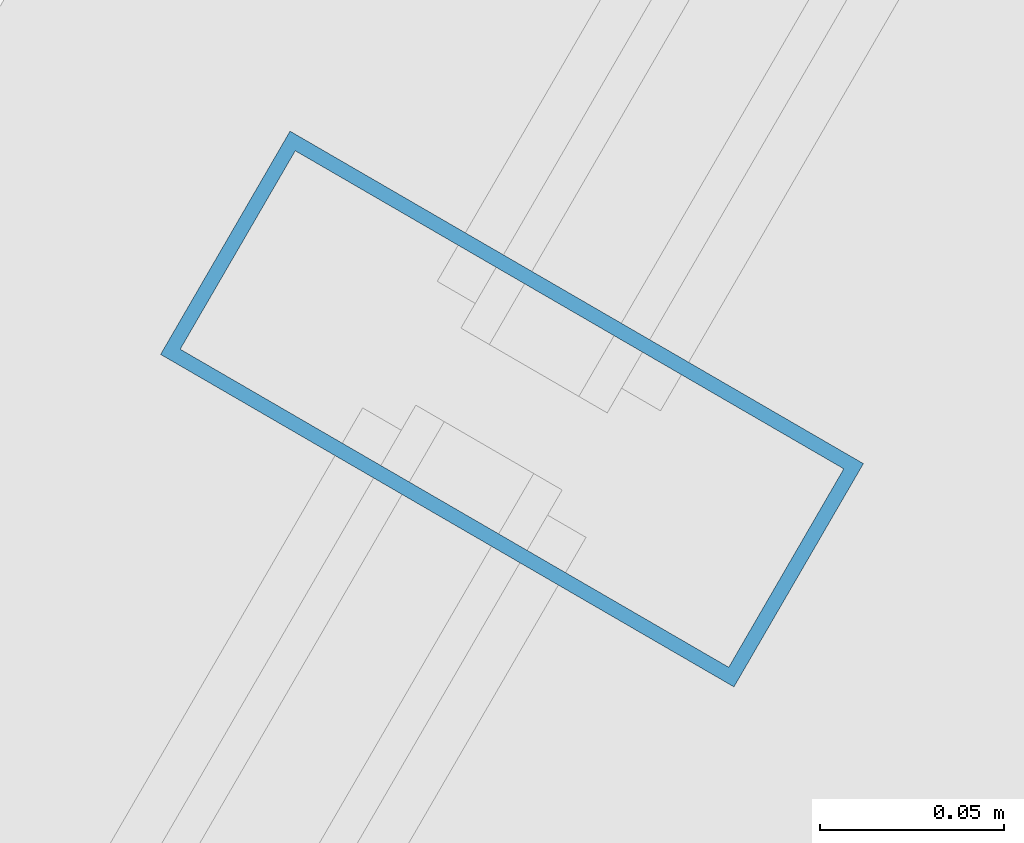
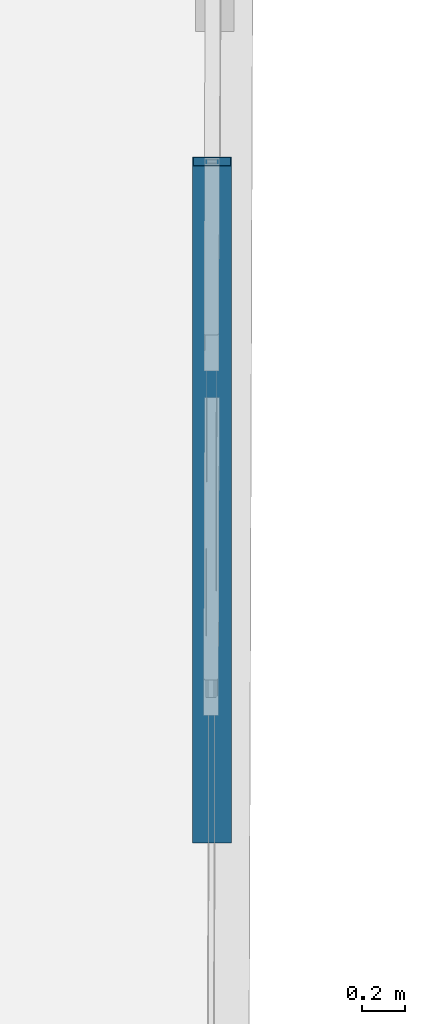
# One storey, part 51 of 156: 1 member, 1 element without a shape of its own.
"""IFC4 building model written with IfcOpenShell, lengths in metres."""

from ifc_helpers import new_model, si_unit, direction, frame, origin, origin_2d, place, context, subcontext, project, spatial, hollow_rectangle, extrude, material, layer, layer_set, material_profile, profile_set, type_object, element, aggregate, save


model = new_model("IFC4")

# Units and contexts
model_context = context("Model", 3, precision=1e-05, world=origin(), true_north=direction((0.0, 1.0)))
body_context = subcontext(model_context, "Body", "Model", "MODEL_VIEW")
ifc_project = project(units=[si_unit("LENGTHUNIT", "METRE"), si_unit("AREAUNIT", "SQUARE_METRE"), si_unit("VOLUMEUNIT", "CUBIC_METRE"), si_unit("PLANEANGLEUNIT", "RADIAN"), si_unit("MASSUNIT", "GRAM", prefix="KILO")], contexts=[model_context])

# Site, building, storey
site_placement = place(None, origin())
site = spatial("IfcSite", under=ifc_project, at=site_placement, CompositionType="ELEMENT")
building_placement = place(site_placement, origin())
building = spatial("IfcBuilding", under=site, at=building_placement, Name="Kazemori Nagisa Stadium", CompositionType="ELEMENT")
storey_placement = place(building_placement, frame((0.0, 0.0, 5.780029296875)))
storey = spatial("IfcBuildingStorey", under=building, at=storey_placement, Name="L01", CompositionType="ELEMENT", Elevation=5.780029296875)

# Curtain wall, member
ifc_material_1 = material(Name="Anodised aluminium 6063-T5", Category="aluminium")
ifc_layer = layer(ifc_material_1, 0.179931640625, Name="Anodised aluminium 6063-T5", Category="aluminium")
ifc_layer_set = layer_set([ifc_layer], Name="Anodised aluminium 6063-T5")
curtain_wall_type = type_object("IfcCurtainWallType", Name="CW_L01R3_99", PredefinedType="USERDEFINED", material=ifc_layer_set)
curtain_wall_placement = place(storey_placement, origin())
curtain_wall = element("IfcCurtainWall", 1, at=curtain_wall_placement, inside=storey, type_object=curtain_wall_type, Name="Unitised curtain wall CW-L01R3-99 L01", ObjectType="UNITISED CURTAIN WALL", PredefinedType="USERDEFINED")
ifc_material_2 = material(Name="Aluminium 6063-T5 anodised", Category="aluminium")
ifc_material_profile = material_profile(ifc_material_2, hollow_rectangle(XDim=0.070068359375, YDim=0.179931640625, WallThickness=0.00390625, at=origin_2d()), Name="ALU-MULL-70x180x4")
ifc_profile_set = profile_set([ifc_material_profile], Name="Aluminium 6063-T5 anodised")
member_type = type_object("IfcMemberType", Name="Mullion_M01", PredefinedType="MULLION", material=ifc_profile_set)
member_placement = place(storey_placement, frame((205.0380859375, 51.442138671875, 0.0), z_axis=(0.0, 0.0, 1.0), x_axis=(0.501611590054, 0.865092950337, 0.0)))
member = element("IfcMember", 2, at=member_placement, type_object=member_type, Name="Curtain wall mullion CW-L01R3-99-M2", PredefinedType="MULLION", context=body_context, shape_type="SweptSolid", body=[
    extrude(hollow_rectangle(XDim=0.070068359375, YDim=0.179931640625, WallThickness=0.00390625, at=origin_2d()), origin(), (0.0, 0.0, 1.0), 3.849853515625),
])
aggregate(curtain_wall, [member])

save(model, "model.ifc")
